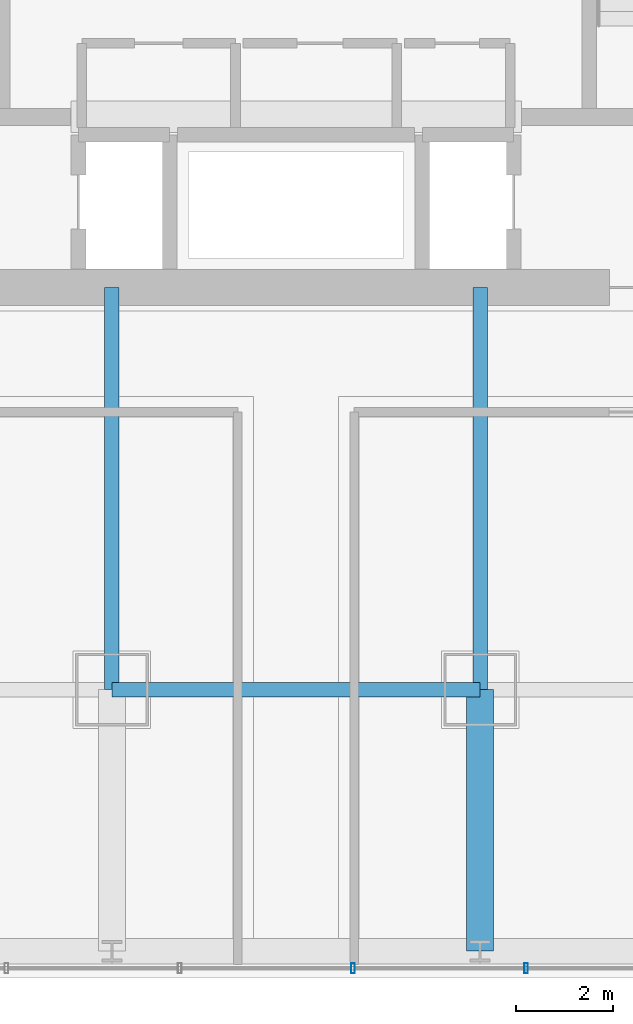
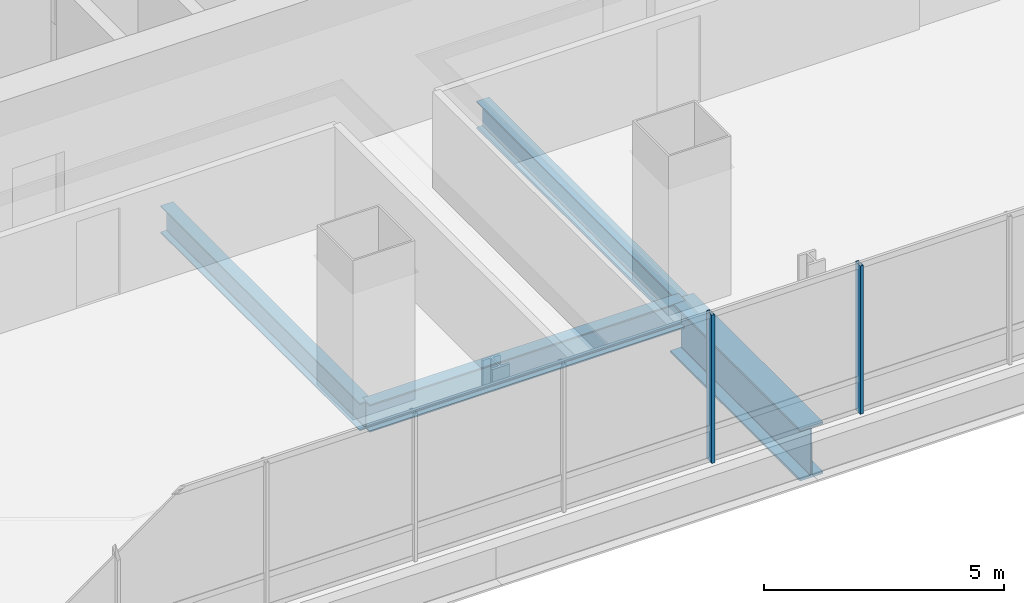
# One storey, part 7 of 45: 4 beams, 2 members, 1 element without a shape of its own.
"""IFC4 building model written with IfcOpenShell, lengths in metres."""

from ifc_helpers import new_model, si_unit, direction, frame, origin, origin_2d, place, context, subcontext, project, spatial, hollow_rectangle, i_section, extrude, material, material_profile, profile_set, type_object, element, aggregate, save


model = new_model("IFC4")

# Units and contexts
model_context = context("Model", 3, precision=1e-05, world=origin(), true_north=direction((0.0, 1.0)))
body_context = subcontext(model_context, "Body", "Model", "MODEL_VIEW")
ifc_project = project(units=[si_unit("LENGTHUNIT", "METRE"), si_unit("AREAUNIT", "SQUARE_METRE"), si_unit("VOLUMEUNIT", "CUBIC_METRE"), si_unit("PLANEANGLEUNIT", "RADIAN"), si_unit("MASSUNIT", "GRAM", prefix="KILO")], contexts=[model_context])

# Site, building, storey
site_placement = place(None, origin())
site = spatial("IfcSite", under=ifc_project, at=site_placement, CompositionType="ELEMENT")
building_placement = place(site_placement, origin())
building = spatial("IfcBuilding", under=site, at=building_placement, Name="Punatoya Terracotta Tower", CompositionType="ELEMENT")
storey_placement = place(building_placement, frame((0.0, 0.0, 56.550048828125)))
storey = spatial("IfcBuildingStorey", under=building, at=storey_placement, Name="L12", CompositionType="ELEMENT", Elevation=56.550048828125)

# Beams
ifc_material_1 = material(Name="Steel S355", Category="steel")
ifc_material_profile_1 = material_profile(ifc_material_1, i_section(OverallWidth=0.300048828125, OverallDepth=0.699951171875, WebThickness=0.01708984375, FlangeThickness=0.031982421875, FilletRadius=0.01806640625, at=origin_2d()))
ifc_profile_set_1 = profile_set([ifc_material_profile_1], Name="Steel S355")
beam_type_1 = type_object("IfcBeamType", Name="BM-PRI-700", PredefinedType="BEAM", material=ifc_profile_set_1)
beam_1_placement = place(storey_placement, frame((-3.800048828125, -17.5, -0.590087890625), z_axis=(1.0, 0.0, 0.0), x_axis=(0.0, 1.0, 0.0)))
element("IfcBeam", 1, at=beam_1_placement, inside=storey, type_object=beam_type_1, Name="BM-L12-RG-S2", PredefinedType="BEAM", context=body_context, shape_type="SweptSolid", body=[
    extrude(i_section(OverallWidth=0.300048828125, OverallDepth=0.699951171875, WebThickness=0.01708984375, FlangeThickness=0.031982421875, FilletRadius=0.01806640625, at=origin_2d()), origin(), (0.0, 0.0, 1.0), 7.60009765625),
])
for number, where, z_axis, x_axis, name in (
    (2, (-3.800048828125, -17.5, -0.590087890625), (0.0, 1.0, 0.0), (-1.0, 0.0, 0.0), "BM-L12-PR-S2"),
    (3, (3.800048828125, -17.5, -0.590087890625), (0.0, 1.0, 0.0), (-1.0, 0.0, 0.0), "BM-L12-PR-S3"),
):
    element("IfcBeam", number, at=place(storey_placement, frame(where, z_axis=z_axis, x_axis=x_axis)), inside=storey, type_object=beam_type_1, Name=name, PredefinedType="BEAM", context=body_context, shape_type="SweptSolid", body=[
        extrude(i_section(OverallWidth=0.300048828125, OverallDepth=0.699951171875, WebThickness=0.01708984375, FlangeThickness=0.031982421875, FilletRadius=0.01806640625, at=origin_2d()), origin(), (0.0, 0.0, 1.0), 8.300048828125),
    ])
ifc_material_2 = material(Name="Steel S460", Category="steel")
ifc_material_profile_2 = material_profile(ifc_material_2, i_section(OverallWidth=0.56005859375, OverallDepth=1.320068359375, WebThickness=0.035888671875, FlangeThickness=0.054931640625, FilletRadius=0.01806640625, at=origin_2d()))
ifc_profile_set_2 = profile_set([ifc_material_profile_2], Name="Steel S460")
beam_type_2 = type_object("IfcBeamType", Name="BM-TG-BLK", PredefinedType="BEAM", material=ifc_profile_set_2)
beam_2_placement = place(storey_placement, frame((3.800048828125, -22.89990234375, -0.900146484375), z_axis=(0.0, 1.0, 0.0), x_axis=(-1.0, 0.0, 0.0)))
element("IfcBeam", 4, at=beam_2_placement, inside=storey, type_object=beam_type_2, Name="BM-L12-CANT-S3", PredefinedType="BEAM", context=body_context, shape_type="SweptSolid", body=[
    extrude(i_section(OverallWidth=0.56005859375, OverallDepth=1.320068359375, WebThickness=0.035888671875, FlangeThickness=0.054931640625, FilletRadius=0.01806640625, at=origin_2d()), origin(), (0.0, 0.0, 1.0), 5.39990234375),
])

# Curtain wall, members
ifc_material_3 = material(Name="Aluminium 6063-T6 + Double Low-E Glass", Category="aluminium")
curtain_wall_type = type_object("IfcCurtainWallType", Name="CW-M1", PredefinedType="NOTDEFINED", material=ifc_material_3)
curtain_wall_placement = place(storey_placement, origin())
curtain_wall = element("IfcCurtainWall", 5, at=curtain_wall_placement, inside=storey, type_object=curtain_wall_type, Name="L12 Curtain Wall CW-L12-S01-1", PredefinedType="NOTDEFINED")
ifc_material_4 = material(Name="Aluminium 6063-T6", Category="aluminium")
ifc_material_profile_3 = material_profile(ifc_material_4, hollow_rectangle(XDim=0.074951171875, YDim=0.2099609375, WallThickness=0.00439453125, at=origin_2d()))
ifc_profile_set_3 = profile_set([ifc_material_profile_3], Name="Aluminium 6063-T6")
member_type = type_object("IfcMemberType", Name="CW-MUL-M1", PredefinedType="MULLION", material=ifc_profile_set_3)
member_1_placement = place(storey_placement, frame((1.175048828125, -23.25, 0.0), z_axis=(0.0, 0.0, 1.0), x_axis=(1.0, 0.0, 0.0)))
member_1 = element("IfcMember", 6, at=member_1_placement, type_object=member_type, Name="CW-L12-S01-1 Mullion 05", PredefinedType="MULLION", context=body_context, shape_type="SweptSolid", body=[
    extrude(hollow_rectangle(XDim=0.074951171875, YDim=0.2099609375, WallThickness=0.00439453125, at=origin_2d()), origin(), (0.0, 0.0, 1.0), 3.77001953125),
])
member_2_placement = place(storey_placement, frame((4.75, -23.25, 0.0), z_axis=(0.0, 0.0, 1.0), x_axis=(1.0, 0.0, 0.0)))
member_2 = element("IfcMember", 7, at=member_2_placement, type_object=member_type, Name="CW-L12-S01-1 Mullion 06", PredefinedType="MULLION", context=body_context, shape_type="SweptSolid", body=[
    extrude(hollow_rectangle(XDim=0.074951171875, YDim=0.2099609375, WallThickness=0.00439453125, at=origin_2d()), origin(), (0.0, 0.0, 1.0), 3.77001953125),
])
aggregate(curtain_wall, [member_1, member_2])

save(model, "model.ifc")
